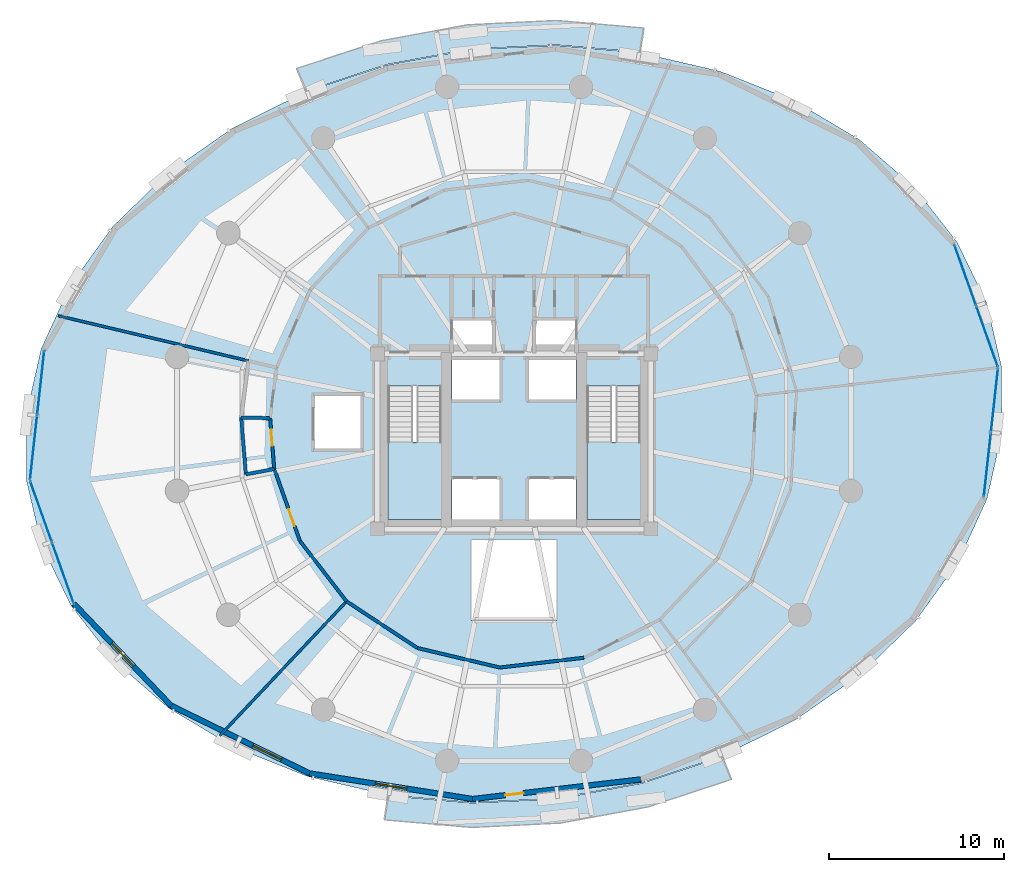
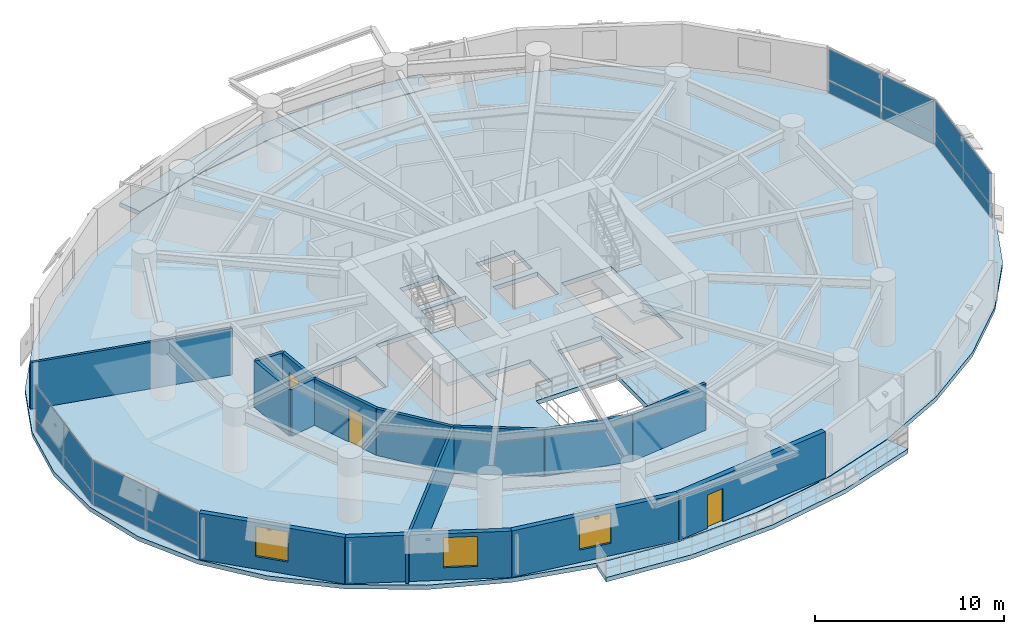
# One storey, part 11 of 17: 16 plates, 15 walls, 5 slabs, 3 doors, 3 windows, 6 openings, 6 elements without a shape of their own.
"""IFC4 building model written with IfcOpenShell, lengths in metres."""

from ifc_helpers import new_model, si_unit, direction, frame, frame_2d, origin, origin_2d, place, context, subcontext, project, spatial, polyline, rectangle, outline, extrude, material, layer, layer_set, type_object, element, fill, aggregate, save


model = new_model("IFC4")

# Units and contexts
model_context = context("Model", 3, precision=1e-05, world=origin(), true_north=direction((0.0, 1.0)))
body_context = subcontext(model_context, "Body", "Model", "MODEL_VIEW")
ifc_project = project(units=[si_unit("LENGTHUNIT", "METRE"), si_unit("AREAUNIT", "SQUARE_METRE"), si_unit("VOLUMEUNIT", "CUBIC_METRE"), si_unit("PLANEANGLEUNIT", "RADIAN"), si_unit("MASSUNIT", "GRAM", prefix="KILO"), si_unit("THERMODYNAMICTEMPERATUREUNIT", "KELVIN"), si_unit("POWERUNIT", "WATT")], contexts=[model_context])

# Site, building, storey
site_placement = place(None, origin())
site = spatial("IfcSite", under=ifc_project, at=site_placement, CompositionType="ELEMENT")
building_placement = place(site_placement, origin())
building = spatial("IfcBuilding", under=site, at=building_placement, Name="Ocrelia Relay Tower", CompositionType="ELEMENT")
storey_placement = place(building_placement, frame((0.0, 0.0, 59.39990234375)))
storey = spatial("IfcBuildingStorey", under=building, at=storey_placement, Name="L13", CompositionType="ELEMENT", Elevation=59.39990234375)

# Curtain wall, plates
ifc_material_1 = material(Name="Aluminium and solar-control low-E glass", Category="aluminium")
ifc_layer_1 = layer(ifc_material_1, 0.179931640625, Name="Aluminium and solar-control low-E glass")
ifc_layer_set_1 = layer_set([ifc_layer_1], Name="Aluminium and solar-control low-E glass")
curtain_wall_type = type_object("IfcCurtainWallType", Name="CW-SYS-Z1-DATA", PredefinedType="NOTDEFINED", material=ifc_layer_set_1)
curtain_wall_1_placement = place(storey_placement, origin())
curtain_wall_1 = element("IfcCurtainWall", 1, at=curtain_wall_1_placement, inside=storey, type_object=curtain_wall_type, Name="L13 Elliptical Tower Curtain Wall Bay 01", PredefinedType="NOTDEFINED")
ifc_material_2 = material(Name="Clear double-glazed low-E glass", Category="glass")
ifc_layer_2 = layer(ifc_material_2, 0.031982421875, Name="Clear double-glazed low-E glass")
ifc_layer_set_2 = layer_set([ifc_layer_2], Name="Clear double-glazed low-E glass")
plate_type = type_object("IfcPlateType", Name="CW-SYS-Z1-DATA-PNL", PredefinedType="CURTAIN_PANEL", material=ifc_layer_set_2)
plate_1_placement = place(storey_placement, frame((60.97998046875, 30.996337890625, 0.06494140625), z_axis=(0.0, 0.0, 1.0), x_axis=(-0.335621072702, 0.941997078317, 0.0)))
plate_1 = element("IfcPlate", 2, at=plate_1_placement, type_object=plate_type, Name="CW-Z1 panel 1.1", PredefinedType="CURTAIN_PANEL", context=body_context, shape_type="SweptSolid", body=[
    extrude(rectangle(XDim=3.6328125, YDim=0.031982421875, at=origin_2d()), origin(), (0.0, 0.0, 1.0), 0.802490234375),
])
plate_2_placement = place(storey_placement, frame((60.97998046875, 30.996337890625, 0.9326171875), z_axis=(0.0, 0.0, 1.0), x_axis=(-0.335621072702, 0.941997078317, 0.0)))
plate_2 = element("IfcPlate", 3, at=plate_2_placement, type_object=plate_type, Name="CW-Z1 panel 1.2", PredefinedType="CURTAIN_PANEL", context=body_context, shape_type="SweptSolid", body=[
    extrude(rectangle(XDim=3.6328125, YDim=0.031982421875, at=origin_2d()), origin(), (0.0, 0.0, 1.0), 2.00244140625),
])
plate_3_placement = place(storey_placement, frame((59.7373046875, 34.484375, 0.06494140625), z_axis=(0.0, 0.0, 1.0), x_axis=(-0.335621072702, 0.941997078317, 0.0)))
plate_3 = element("IfcPlate", 4, at=plate_3_placement, type_object=plate_type, Name="CW-Z1 panel 2.1", PredefinedType="CURTAIN_PANEL", context=body_context, shape_type="SweptSolid", body=[
    extrude(rectangle(XDim=3.6328125, YDim=0.031982421875, at=origin_2d()), origin(), (0.0, 0.0, 1.0), 0.802490234375),
])
plate_4_placement = place(storey_placement, frame((59.7373046875, 34.484375, 0.9326171875), z_axis=(0.0, 0.0, 1.0), x_axis=(-0.335621072702, 0.941997078317, 0.0)))
plate_4 = element("IfcPlate", 5, at=plate_4_placement, type_object=plate_type, Name="CW-Z1 panel 2.2", PredefinedType="CURTAIN_PANEL", context=body_context, shape_type="SweptSolid", body=[
    extrude(rectangle(XDim=3.6328125, YDim=0.031982421875, at=origin_2d()), origin(), (0.0, 0.0, 1.0), 2.00244140625),
])
aggregate(curtain_wall_1, [plate_1, plate_2, plate_3, plate_4])

curtain_wall_2_placement = place(storey_placement, origin())
curtain_wall_2 = element("IfcCurtainWall", 6, at=curtain_wall_2_placement, inside=storey, type_object=curtain_wall_type, Name="L13 Elliptical Tower Curtain Wall Bay 09", PredefinedType="NOTDEFINED")
plate_5_placement = place(storey_placement, frame((7.00146484375, 28.3359375, 0.06494140625), z_axis=(0.0, 0.0, 1.0), x_axis=(-0.109919105663, -0.993940536557, 0.0)))
plate_5 = element("IfcPlate", 7, at=plate_5_placement, type_object=plate_type, Name="CW-Z1 panel 1.1", PredefinedType="CURTAIN_PANEL", context=body_context, shape_type="SweptSolid", body=[
    extrude(rectangle(XDim=3.6328125, YDim=0.031982421875, at=origin_2d()), origin(), (0.0, 0.0, 1.0), 0.802490234375),
])
plate_6_placement = place(storey_placement, frame((7.00146484375, 28.3359375, 0.9326171875), z_axis=(0.0, 0.0, 1.0), x_axis=(-0.109919105663, -0.993940536557, 0.0)))
plate_6 = element("IfcPlate", 8, at=plate_6_placement, type_object=plate_type, Name="CW-Z1 panel 1.2", PredefinedType="CURTAIN_PANEL", context=body_context, shape_type="SweptSolid", body=[
    extrude(rectangle(XDim=3.6328125, YDim=0.031982421875, at=origin_2d()), origin(), (0.0, 0.0, 1.0), 2.00244140625),
])
plate_7_placement = place(storey_placement, frame((6.59423828125, 24.655517578125, 0.06494140625), z_axis=(0.0, 0.0, 1.0), x_axis=(-0.109919105663, -0.993940536557, 0.0)))
plate_7 = element("IfcPlate", 9, at=plate_7_placement, type_object=plate_type, Name="CW-Z1 panel 2.1", PredefinedType="CURTAIN_PANEL", context=body_context, shape_type="SweptSolid", body=[
    extrude(rectangle(XDim=3.6328125, YDim=0.031982421875, at=origin_2d()), origin(), (0.0, 0.0, 1.0), 0.802490234375),
])
plate_8_placement = place(storey_placement, frame((6.59423828125, 24.655517578125, 0.9326171875), z_axis=(0.0, 0.0, 1.0), x_axis=(-0.109919105663, -0.993940536557, 0.0)))
plate_8 = element("IfcPlate", 10, at=plate_8_placement, type_object=plate_type, Name="CW-Z1 panel 2.2", PredefinedType="CURTAIN_PANEL", context=body_context, shape_type="SweptSolid", body=[
    extrude(rectangle(XDim=3.6328125, YDim=0.031982421875, at=origin_2d()), origin(), (0.0, 0.0, 1.0), 2.00244140625),
])
aggregate(curtain_wall_2, [plate_5, plate_6, plate_7, plate_8])

curtain_wall_3_placement = place(storey_placement, origin())
curtain_wall_3 = element("IfcCurtainWall", 11, at=curtain_wall_3_placement, inside=storey, type_object=curtain_wall_type, Name="L13 Elliptical Tower Curtain Wall Bay 10", PredefinedType="NOTDEFINED")
plate_9_placement = place(storey_placement, frame((7.02001953125, 21.003662109375, 0.06494140625), z_axis=(0.0, 0.0, 1.0), x_axis=(0.335621072702, -0.941997078317, 0.0)))
plate_9 = element("IfcPlate", 12, at=plate_9_placement, type_object=plate_type, Name="CW-Z1 panel 1.1", PredefinedType="CURTAIN_PANEL", context=body_context, shape_type="SweptSolid", body=[
    extrude(rectangle(XDim=3.6328125, YDim=0.031982421875, at=origin_2d()), origin(), (0.0, 0.0, 1.0), 0.802490234375),
])
plate_10_placement = place(storey_placement, frame((7.02001953125, 21.003662109375, 0.9326171875), z_axis=(0.0, 0.0, 1.0), x_axis=(0.335621072702, -0.941997078317, 0.0)))
plate_10 = element("IfcPlate", 13, at=plate_10_placement, type_object=plate_type, Name="CW-Z1 panel 1.2", PredefinedType="CURTAIN_PANEL", context=body_context, shape_type="SweptSolid", body=[
    extrude(rectangle(XDim=3.6328125, YDim=0.031982421875, at=origin_2d()), origin(), (0.0, 0.0, 1.0), 2.00244140625),
])
plate_11_placement = place(storey_placement, frame((8.2626953125, 17.515625, 0.06494140625), z_axis=(0.0, 0.0, 1.0), x_axis=(0.335621072702, -0.941997078317, 0.0)))
plate_11 = element("IfcPlate", 14, at=plate_11_placement, type_object=plate_type, Name="CW-Z1 panel 2.1", PredefinedType="CURTAIN_PANEL", context=body_context, shape_type="SweptSolid", body=[
    extrude(rectangle(XDim=3.6328125, YDim=0.031982421875, at=origin_2d()), origin(), (0.0, 0.0, 1.0), 0.802490234375),
])
plate_12_placement = place(storey_placement, frame((8.2626953125, 17.515625, 0.9326171875), z_axis=(0.0, 0.0, 1.0), x_axis=(0.335621072702, -0.941997078317, 0.0)))
plate_12 = element("IfcPlate", 15, at=plate_12_placement, type_object=plate_type, Name="CW-Z1 panel 2.2", PredefinedType="CURTAIN_PANEL", context=body_context, shape_type="SweptSolid", body=[
    extrude(rectangle(XDim=3.6328125, YDim=0.031982421875, at=origin_2d()), origin(), (0.0, 0.0, 1.0), 2.00244140625),
])
aggregate(curtain_wall_3, [plate_9, plate_10, plate_11, plate_12])

curtain_wall_4_placement = place(storey_placement, origin())
curtain_wall_4 = element("IfcCurtainWall", 16, at=curtain_wall_4_placement, inside=storey, type_object=curtain_wall_type, Name="L13 Elliptical Tower Curtain Wall Bay 18", PredefinedType="NOTDEFINED")
plate_13_placement = place(storey_placement, frame((60.99853515625, 23.6640625, 0.06494140625), z_axis=(0.0, 0.0, 1.0), x_axis=(0.109919105663, 0.993940536557, 0.0)))
plate_13 = element("IfcPlate", 17, at=plate_13_placement, type_object=plate_type, Name="CW-Z1 panel 1.1", PredefinedType="CURTAIN_PANEL", context=body_context, shape_type="SweptSolid", body=[
    extrude(rectangle(XDim=3.6328125, YDim=0.031982421875, at=origin_2d()), origin(), (0.0, 0.0, 1.0), 0.802490234375),
])
plate_14_placement = place(storey_placement, frame((60.99853515625, 23.6640625, 0.9326171875), z_axis=(0.0, 0.0, 1.0), x_axis=(0.109919105663, 0.993940536557, 0.0)))
plate_14 = element("IfcPlate", 18, at=plate_14_placement, type_object=plate_type, Name="CW-Z1 panel 1.2", PredefinedType="CURTAIN_PANEL", context=body_context, shape_type="SweptSolid", body=[
    extrude(rectangle(XDim=3.6328125, YDim=0.031982421875, at=origin_2d()), origin(), (0.0, 0.0, 1.0), 2.00244140625),
])
plate_15_placement = place(storey_placement, frame((61.40576171875, 27.344482421875, 0.06494140625), z_axis=(0.0, 0.0, 1.0), x_axis=(0.109919105663, 0.993940536557, 0.0)))
plate_15 = element("IfcPlate", 19, at=plate_15_placement, type_object=plate_type, Name="CW-Z1 panel 2.1", PredefinedType="CURTAIN_PANEL", context=body_context, shape_type="SweptSolid", body=[
    extrude(rectangle(XDim=3.6328125, YDim=0.031982421875, at=origin_2d()), origin(), (0.0, 0.0, 1.0), 0.802490234375),
])
plate_16_placement = place(storey_placement, frame((61.40576171875, 27.344482421875, 0.9326171875), z_axis=(0.0, 0.0, 1.0), x_axis=(0.109919105663, 0.993940536557, 0.0)))
plate_16 = element("IfcPlate", 20, at=plate_16_placement, type_object=plate_type, Name="CW-Z1 panel 2.2", PredefinedType="CURTAIN_PANEL", context=body_context, shape_type="SweptSolid", body=[
    extrude(rectangle(XDim=3.6328125, YDim=0.031982421875, at=origin_2d()), origin(), (0.0, 0.0, 1.0), 2.00244140625),
])
aggregate(curtain_wall_4, [plate_13, plate_14, plate_15, plate_16])

# Slabs
ifc_material_3 = material(Name="Precast concrete C40/50", Category="concrete")
ifc_layer_3 = layer(ifc_material_3, 0.280029296875, Name="Precast concrete C40/50")
ifc_layer_set_3 = layer_set([ifc_layer_3], Name="Precast concrete C40/50")
slab_type_1 = type_object("IfcSlabType", Name="SL-BALC-280", PredefinedType="FLOOR", material=ifc_layer_set_3)
slab_1_placement = place(storey_placement, frame((0.0, 0.0, -0.27978515625)))
element("IfcSlab", 21, at=slab_1_placement, inside=storey, type_object=slab_type_1, Name="L13 Planted Loggia Balcony B1", PredefinedType="FLOOR", context=body_context, shape_type="SweptSolid", body=[
    extrude(outline(polyline([(41.17724609375, 47.206298828125), (38.777587890625, 47.4150390625), (36.378173828125, 47.6240234375), (31.506591796875, 47.38525390625), (26.711181640625, 46.4970703125), (24.423828125, 45.74169921875), (22.13671875, 44.986328125), (21.607666015625, 46.275390625), (23.986328125, 47.06103515625), (26.364990234375, 47.8466796875), (31.345458984375, 48.768798828125), (36.404296875, 49.01708984375), (38.89990234375, 48.7998046875), (41.3955078125, 48.58251953125), (41.17724609375, 47.206298828125)])), origin(), (0.0, 0.0, 1.0), 0.27978515625),
])
slab_2_placement = place(storey_placement, frame((0.0, 0.0, -0.27978515625)))
element("IfcSlab", 22, at=slab_2_placement, inside=storey, type_object=slab_type_1, Name="L13 Planted Loggia Balcony B2", PredefinedType="FLOOR", context=body_context, shape_type="SweptSolid", body=[
    extrude(outline(polyline([(26.82275390625, 4.793701171875), (29.222412109375, 4.584716796875), (31.621826171875, 4.3759765625), (36.493408203125, 4.61474609375), (41.288818359375, 5.5029296875), (43.575927734375, 6.25830078125), (45.86328125, 7.013671875), (46.392333984375, 5.724609375), (44.013671875, 4.93896484375), (41.635009765625, 4.1533203125), (36.654541015625, 3.231201171875), (31.595703125, 2.98291015625), (29.10009765625, 3.2001953125), (26.6044921875, 3.41748046875), (26.82275390625, 4.793701171875)])), origin(), (0.0, 0.0, 1.0), 0.27978515625),
])
ifc_material_4 = material(Name="Concrete C50/60", Category="concrete")
ifc_layer_4 = layer(ifc_material_4, 0.280029296875, Name="Concrete C50/60")
ifc_layer_set_4 = layer_set([ifc_layer_4], Name="Concrete C50/60")
slab_type_2 = type_object("IfcSlabType", Name="SL-FLR-280", PredefinedType="FLOOR", material=ifc_layer_set_4)
slab_3_placement = place(storey_placement, frame((0.0, 0.0, -0.27978515625)))
element("IfcSlab", 23, at=slab_3_placement, inside=storey, type_object=slab_type_2, Name="L13 Elliptical Tower Floor Slab", PredefinedType="FLOOR", context=body_context, shape_type="SweptSolid", body=[
    extrude(outline(polyline([(61.8115234375, 29.242431640625), (60.956787109375, 32.901611328125), (59.28271484375, 36.350830078125), (56.8408203125, 39.48583984375), (53.70458984375, 42.2109375), (49.9697265625, 44.443359375), (45.74951171875, 46.115478515625), (41.172607421875, 47.176513671875), (36.37744140625, 47.593994140625), (31.51025390625, 47.355224609375), (26.718505859375, 46.468017578125), (22.148193359375, 44.95849609375), (17.93798828125, 42.873046875), (14.2158203125, 40.27490234375), (11.0947265625, 37.242919921875), (8.66943359375, 33.86962890625), (7.01416015625, 30.257080078125), (6.1787109375, 26.51513671875), (6.1884765625, 22.757568359375), (7.043212890625, 19.098388671875), (8.71728515625, 15.649169921875), (11.1591796875, 12.51416015625), (14.29541015625, 9.7890625), (18.0302734375, 7.556640625), (22.25048828125, 5.884521484375), (26.827392578125, 4.823486328125), (31.62255859375, 4.406005859375), (36.48974609375, 4.644775390625), (41.281494140625, 5.531982421875), (45.851806640625, 7.04150390625), (50.06201171875, 9.126953125), (53.7841796875, 11.72509765625), (56.9052734375, 14.757080078125), (59.33056640625, 18.13037109375), (60.98583984375, 21.742919921875), (61.8212890625, 25.48486328125), (61.8115234375, 29.242431640625)]), holes=[polyline([(26.81005859375, 28.14990234375), (26.81005859375, 20.550048828125), (29.85009765625, 20.550048828125), (29.85009765625, 28.14990234375), (26.81005859375, 28.14990234375)]), polyline([(38.159912109375, 28.14990234375), (38.159912109375, 20.550048828125), (41.199951171875, 20.550048828125), (41.199951171875, 28.14990234375), (38.159912109375, 28.14990234375)]), polyline([(30.4599609375, 20.550048828125), (33.159912109375, 20.550048828125), (33.159912109375, 22.85009765625), (30.4599609375, 22.85009765625), (30.4599609375, 20.550048828125)]), polyline([(34.840087890625, 20.550048828125), (37.5400390625, 20.550048828125), (37.5400390625, 22.85009765625), (34.840087890625, 22.85009765625), (34.840087890625, 20.550048828125)]), polyline([(30.4599609375, 27.35009765625), (33.159912109375, 27.35009765625), (33.159912109375, 29.64990234375), (30.4599609375, 29.64990234375), (30.4599609375, 27.35009765625)]), polyline([(34.840087890625, 27.35009765625), (37.5400390625, 27.35009765625), (37.5400390625, 29.64990234375), (34.840087890625, 29.64990234375), (34.840087890625, 27.35009765625)]), polyline([(30.5, 30.10009765625), (32.85009765625, 30.10009765625), (32.85009765625, 32.0), (30.5, 32.0), (30.5, 30.10009765625)]), polyline([(35.14990234375, 30.10009765625), (37.5, 30.10009765625), (37.5, 32.0), (35.14990234375, 32.0), (35.14990234375, 30.10009765625)]), polyline([(22.550048828125, 24.5), (25.35009765625, 24.5), (25.35009765625, 27.699951171875), (22.550048828125, 27.699951171875), (22.550048828125, 24.5)]), polyline([(31.550048828125, 14.800048828125), (36.449951171875, 14.800048828125), (36.449951171875, 19.39990234375), (31.550048828125, 19.39990234375), (31.550048828125, 14.800048828125)])]), origin(), (0.0, 0.0, 1.0), 0.27978515625),
])

# Stair, slab
stair_type = type_object("IfcStairType", Name="ST-DL-1420-R175", PredefinedType="HALF_TURN_STAIR", material=ifc_material_4)
stair_1_placement = place(storey_placement, origin())
stair_1 = element("IfcStair", 24, at=stair_1_placement, inside=storey, type_object=stair_type, Name="L13 West Core Exit Stair ST1", PredefinedType="HALF_TURN_STAIR")
ifc_layer_5 = layer(ifc_material_4, 0.199951171875, Name="Concrete C50/60")
ifc_layer_set_5 = layer_set([ifc_layer_5], Name="Concrete C50/60")
slab_type_3 = type_object("IfcSlabType", Name="SL-LANDING-200", PredefinedType="LANDING", material=ifc_layer_set_5)
slab_4_placement = place(storey_placement, frame((0.0, 0.0, 1.900146484375)))
slab_4 = element("IfcSlab", 25, at=slab_4_placement, type_object=slab_type_3, Name="ST1 landing 1", PredefinedType="LANDING", context=body_context, shape_type="SweptSolid", body=[
    extrude(outline(polyline([(26.81005859375, 24.9599609375), (26.81005859375, 20.550048828125), (29.85009765625, 20.550048828125), (29.85009765625, 24.9599609375), (26.81005859375, 24.9599609375)])), origin(), (0.0, 0.0, 1.0), 0.199951171875),
])
aggregate(stair_1, [slab_4])

stair_2_placement = place(storey_placement, origin())
stair_2 = element("IfcStair", 26, at=stair_2_placement, inside=storey, type_object=stair_type, Name="L13 East Core Exit Stair ST2", PredefinedType="HALF_TURN_STAIR")
slab_5_placement = place(storey_placement, frame((0.0, 0.0, 1.900146484375)))
slab_5 = element("IfcSlab", 27, at=slab_5_placement, type_object=slab_type_3, Name="ST2 landing 1", PredefinedType="LANDING", context=body_context, shape_type="SweptSolid", body=[
    extrude(outline(polyline([(38.159912109375, 24.9599609375), (38.159912109375, 20.550048828125), (41.199951171875, 20.550048828125), (41.199951171875, 24.9599609375), (38.159912109375, 24.9599609375)])), origin(), (0.0, 0.0, 1.0), 0.199951171875),
])
aggregate(stair_2, [slab_5])

# Wall, opening, door
ifc_material_5 = material(Name="Gypsum Fireboard Partition EI60", Category="gypsum")
ifc_layer_6 = layer(ifc_material_5, 0.179931640625, Name="Gypsum Fireboard Partition EI60")
ifc_layer_set_6 = layer_set([ifc_layer_6], Name="Gypsum Fireboard Partition EI60")
wall_type_1 = type_object("IfcWallType", Name="W-CORR-EI60-180", PredefinedType="PARTITIONING", material=ifc_layer_set_6)
wall_1_placement = place(storey_placement, frame((20.083984375, 26.327880859375, 0.0), z_axis=(0.0, 0.0, 1.0), x_axis=(0.081045642914, -0.996710391119, 0.0)))
wall_1 = element("IfcWall", 28, at=wall_1_placement, inside=storey, type_object=wall_type_1, Name="L13 Accessible Toilet Corridor Wall", PredefinedType="PARTITIONING", context=body_context, shape_type="SweptSolid", body=[
    extrude(rectangle(XDim=2.909912109375, YDim=0.179931640625, at=frame_2d((1.455078125, 0.0))), origin(), (0.0, 0.0, 1.0), 3.0),
])
opening_1_placement = place(wall_1_placement, frame((0.6689453125, 0.0, 0.0)))
opening_1 = element("IfcOpeningElement", 29, at=opening_1_placement, cuts=wall_1, Name="Opening D-WC92", PredefinedType="OPENING", context=body_context, shape_type="SweptSolid", body=[
    extrude(rectangle(XDim=0.919921875, YDim=2.10009765625, at=frame_2d((0.4599609375, 1.050048828125))), frame((0.0, 0.10009765625, 0.0), z_axis=(0.0, -1.0, 0.0), x_axis=(1.0, 0.0, 0.0)), (0.0, 0.0, 1.0), 0.199951171875),
])
ifc_material_6 = material(Name="Laminate washroom door", Category="wood")
door_type_1 = type_object("IfcDoorType", Name="DR-WC-920", OperationType="NOTDEFINED", PredefinedType="DOOR", material=ifc_material_6)
door_1_placement = place(opening_1_placement, origin())
door_1 = element("IfcDoor", 30, at=door_1_placement, inside=storey, type_object=door_type_1, Name="L13 Accessible Toilet Door", OperationType="SINGLE_SWING_LEFT", OverallHeight=2.10009765625, OverallWidth=0.919921875, PredefinedType="DOOR", context=body_context, shape_type="SweptSolid", body=[
    extrude(rectangle(XDim=0.919921875, YDim=2.10009765625, at=frame_2d((0.4599609375, 1.050048828125))), frame((0.0, 0.02490234375, 0.0), z_axis=(0.0, -1.0, 0.0), x_axis=(1.0, 0.0, 0.0)), (0.0, 0.0, 1.0), 0.050048828125),
])
fill(opening_1, door_1)

wall_2_placement = place(storey_placement, frame((20.31982421875, 23.427490234375, 0.0), z_axis=(0.0, 0.0, 1.0), x_axis=(0.33623696161, -0.941777418315, 0.0)))
wall_2 = element("IfcWall", 31, at=wall_2_placement, inside=storey, type_object=wall_type_1, Name="L13 Technical Reference Library Corridor Partition 1", PredefinedType="PARTITIONING", context=body_context, shape_type="SweptSolid", body=[
    extrude(rectangle(XDim=4.355224609375, YDim=0.179931640625, at=frame_2d((2.177734375, 0.0))), origin(), (0.0, 0.0, 1.0), 3.0),
])
opening_2_placement = place(wall_2_placement, frame((2.44140625, 0.0, 0.0)))
opening_2 = element("IfcOpeningElement", 32, at=opening_2_placement, cuts=wall_2, Name="Opening D-RM100", PredefinedType="OPENING", context=body_context, shape_type="SweptSolid", body=[
    extrude(rectangle(XDim=1.0, YDim=2.14990234375, at=frame_2d((0.5, 1.074951171875))), frame((0.0, 0.10009765625, 0.0), z_axis=(0.0, -1.0, 0.0), x_axis=(1.0, 0.0, 0.0)), (0.0, 0.0, 1.0), 0.199951171875),
])
ifc_material_7 = material(Name="Acoustic oak veneer fire door", Category="wood")
door_type_2 = type_object("IfcDoorType", Name="DR-ROOM-FD60-1000", OperationType="NOTDEFINED", PredefinedType="DOOR", material=ifc_material_7)
door_2_placement = place(opening_2_placement, origin())
door_2 = element("IfcDoor", 33, at=door_2_placement, inside=storey, type_object=door_type_2, Name="L13 Technical Reference Library Entrance Door", OperationType="SINGLE_SWING_RIGHT", OverallHeight=2.14990234375, OverallWidth=1.0, PredefinedType="DOOR", context=body_context, shape_type="SweptSolid", body=[
    extrude(rectangle(XDim=1.0, YDim=2.14990234375, at=frame_2d((0.5, 1.074951171875))), frame((0.0, 0.02490234375, 0.0), z_axis=(0.0, -1.0, 0.0), x_axis=(1.0, 0.0, 0.0)), (0.0, 0.0, 1.0), 0.050048828125),
])
fill(opening_2, door_2)

# Walls
wall_3_placement = place(storey_placement, frame((21.7841796875, 19.325927734375, 0.0), z_axis=(0.0, 0.0, 1.0), x_axis=(0.610850645321, -0.791745848812, 0.0)))
element("IfcWall", 34, at=wall_3_placement, inside=storey, type_object=wall_type_1, Name="L13 Technical Reference Library Corridor Partition 2", PredefinedType="PARTITIONING", context=body_context, shape_type="SweptSolid", body=[
    extrude(rectangle(XDim=4.355224609375, YDim=0.179931640625, at=frame_2d((2.177734375, 0.0))), origin(), (0.0, 0.0, 1.0), 3.0),
])
wall_4_placement = place(storey_placement, frame((24.444580078125, 15.877685546875, 0.0), z_axis=(0.0, 0.0, 1.0), x_axis=(0.835329812405, -0.549749128701, 0.0)))
element("IfcWall", 35, at=wall_4_placement, inside=storey, type_object=wall_type_1, Name="L13 Colocation Data Hall A Corridor Partition 1", PredefinedType="PARTITIONING", context=body_context, shape_type="SweptSolid", body=[
    extrude(rectangle(XDim=4.83447265625, YDim=0.179931640625, at=frame_2d((2.417236328125, 0.0))), origin(), (0.0, 0.0, 1.0), 3.0),
])
for number, where, z_axis, x_axis, name in (
    (36, (28.48291015625, 13.219970703125, 0.0), (0.0, 0.0, 1.0), (0.97297826036, -0.230896740702, 0.0), "L13 Colocation Data Hall A Corridor Partition 2"),
    (37, (33.1865234375, 12.103759765625, 0.0), (0.0, 0.0, 1.0), (0.99327243633, 0.115800981112, 0.0), "L13 Colocation Data Hall A Corridor Partition 3"),
):
    element("IfcWall", number, at=place(storey_placement, frame(where, z_axis=z_axis, x_axis=x_axis)), inside=storey, type_object=wall_type_1, Name=name, PredefinedType="PARTITIONING", context=body_context, shape_type="SweptSolid", body=[
        extrude(rectangle(XDim=4.834228515625, YDim=0.179931640625, at=frame_2d((2.4169921875, 0.0))), origin(), (0.0, 0.0, 1.0), 3.0),
    ])

# Wall, opening, window
ifc_material_8 = material(Name="Precast concrete C40/50 with oxide terracotta", Category="masonry")
ifc_layer_7 = layer(ifc_material_8, 0.300048828125, Name="Precast concrete C40/50 with oxide terracotta")
ifc_layer_set_7 = layer_set([ifc_layer_7], Name="Precast concrete C40/50 with oxide terracotta")
wall_type_2 = type_object("IfcWallType", Name="W-EXT-TERR-300", PredefinedType="SOLIDWALL", material=ifc_layer_set_7)
wall_5_placement = place(storey_placement, frame((8.89599609375, 15.73876953125, 0.0), z_axis=(0.0, 0.0, 1.0), x_axis=(0.690246968725, -0.723573853982, 0.0)))
wall_5 = element("IfcWall", 38, at=wall_5_placement, inside=storey, type_object=wall_type_2, Name="L13 Oxide Terracotta Facade Wall 11", PredefinedType="SOLIDWALL", context=body_context, shape_type="SweptSolid", body=[
    extrude(rectangle(XDim=8.021484375, YDim=0.300048828125, at=frame_2d((4.0107421875, 0.0))), origin(), (0.0, 0.0, 1.0), 3.0),
])
opening_3_placement = place(wall_5_placement, frame((3.111083984375, 0.0, 0.800048828125)))
opening_3 = element("IfcOpeningElement", 39, at=opening_3_placement, cuts=wall_5, Name="Opening W-02", PredefinedType="OPENING", context=body_context, shape_type="SweptSolid", body=[
    extrude(rectangle(XDim=1.800048828125, YDim=1.949951171875, at=frame_2d((0.89990234375, 0.97509765625))), frame((0.0, 0.16015625, 0.0), z_axis=(0.0, -1.0, 0.0), x_axis=(1.0, 0.0, 0.0)), (0.0, 0.0, 1.0), 0.320068359375),
])
window_type = type_object("IfcWindowType", Name="WIN-Z1-1800x2100", PartitioningType="DOUBLE_PANEL_VERTICAL", PredefinedType="WINDOW", material=ifc_material_2)
window_1_placement = place(opening_3_placement, origin())
window_1 = element("IfcWindow", 40, at=window_1_placement, inside=storey, type_object=window_type, Name="L13 Facade Module Window 11", OverallHeight=1.949951171875, OverallWidth=1.800048828125, PartitioningType="SINGLE_PANEL", PredefinedType="WINDOW", context=body_context, shape_type="SweptSolid", body=[
    extrude(rectangle(XDim=1.800048828125, YDim=1.949951171875, at=frame_2d((0.89990234375, 0.97509765625))), frame((0.0, 0.030029296875, 0.0), z_axis=(0.0, -1.0, 0.0), x_axis=(1.0, 0.0, 0.0)), (0.0, 0.0, 1.0), 0.06005859375),
])
fill(opening_3, window_1)

wall_6_placement = place(storey_placement, frame((14.432861328125, 9.9345703125, 0.0), z_axis=(0.0, 0.0, 1.0), x_axis=(0.898122468158, -0.439745417475, 0.0)))
wall_6 = element("IfcWall", 41, at=wall_6_placement, inside=storey, type_object=wall_type_2, Name="L13 Oxide Terracotta Facade Wall 12", PredefinedType="SOLIDWALL", context=body_context, shape_type="SweptSolid", body=[
    extrude(rectangle(XDim=8.79248046875, YDim=0.300048828125, at=frame_2d((4.396240234375, 0.0))), origin(), (0.0, 0.0, 1.0), 3.0),
])
opening_4_placement = place(wall_6_placement, frame((5.201904296875, 0.0, 0.800048828125)))
opening_4 = element("IfcOpeningElement", 42, at=opening_4_placement, cuts=wall_6, Name="Opening W-02", PredefinedType="OPENING", context=body_context, shape_type="SweptSolid", body=[
    extrude(rectangle(XDim=1.800048828125, YDim=1.949951171875, at=frame_2d((0.89990234375, 0.97509765625))), frame((0.0, 0.16015625, 0.0), z_axis=(0.0, -1.0, 0.0), x_axis=(1.0, 0.0, 0.0)), (0.0, 0.0, 1.0), 0.320068359375),
])
window_2_placement = place(opening_4_placement, origin())
window_2 = element("IfcWindow", 43, at=window_2_placement, inside=storey, type_object=window_type, Name="L13 Facade Module Window 12", OverallHeight=1.949951171875, OverallWidth=1.800048828125, PartitioningType="SINGLE_PANEL", PredefinedType="WINDOW", context=body_context, shape_type="SweptSolid", body=[
    extrude(rectangle(XDim=1.800048828125, YDim=1.949951171875, at=frame_2d((0.89990234375, 0.97509765625))), frame((0.0, 0.030029296875, 0.0), z_axis=(0.0, -1.0, 0.0), x_axis=(1.0, 0.0, 0.0)), (0.0, 0.0, 1.0), 0.06005859375),
])
fill(opening_4, window_2)

wall_7_placement = place(storey_placement, frame((22.32958984375, 6.068115234375, 0.0), z_axis=(0.0, 0.0, 1.0), x_axis=(0.987873263645, -0.155262406833, 0.0)))
wall_7 = element("IfcWall", 44, at=wall_7_placement, inside=storey, type_object=wall_type_2, Name="L13 Oxide Terracotta Facade Wall 13", PredefinedType="SOLIDWALL", context=body_context, shape_type="SweptSolid", body=[
    extrude(rectangle(XDim=9.4189453125, YDim=0.300048828125, at=frame_2d((4.70947265625, 0.0))), origin(), (0.0, 0.0, 1.0), 3.0),
])
opening_5_placement = place(wall_7_placement, frame((3.80908203125, 0.0, 0.800048828125)))
opening_5 = element("IfcOpeningElement", 45, at=opening_5_placement, cuts=wall_7, Name="Opening W-02", PredefinedType="OPENING", context=body_context, shape_type="SweptSolid", body=[
    extrude(rectangle(XDim=1.800048828125, YDim=1.949951171875, at=frame_2d((0.89990234375, 0.97509765625))), frame((0.0, 0.16015625, 0.0), z_axis=(0.0, -1.0, 0.0), x_axis=(1.0, 0.0, 0.0)), (0.0, 0.0, 1.0), 0.320068359375),
])
window_3_placement = place(opening_5_placement, origin())
window_3 = element("IfcWindow", 46, at=window_3_placement, inside=storey, type_object=window_type, Name="L13 Facade Module Window 13", OverallHeight=1.949951171875, OverallWidth=1.800048828125, PartitioningType="SINGLE_PANEL", PredefinedType="WINDOW", context=body_context, shape_type="SweptSolid", body=[
    extrude(rectangle(XDim=1.800048828125, YDim=1.949951171875, at=frame_2d((0.89990234375, 0.97509765625))), frame((0.0, 0.030029296875, 0.0), z_axis=(0.0, -1.0, 0.0), x_axis=(1.0, 0.0, 0.0)), (0.0, 0.0, 1.0), 0.06005859375),
])
fill(opening_5, window_3)

# Wall, opening, door
wall_8_placement = place(storey_placement, frame((31.63427734375, 4.605712890625, 0.0), z_axis=(0.0, 0.0, 1.0), x_axis=(0.993270898265, 0.115814172965, 0.0)))
wall_8 = element("IfcWall", 47, at=wall_8_placement, inside=storey, type_object=wall_type_2, Name="L13 Oxide Terracotta Facade Wall 14", PredefinedType="SOLIDWALL", context=body_context, shape_type="SweptSolid", body=[
    extrude(rectangle(XDim=9.65478515625, YDim=0.300048828125, at=frame_2d((4.827392578125, 0.0))), origin(), (0.0, 0.0, 1.0), 3.0),
])
opening_6_placement = place(wall_8_placement, frame((1.8701171875, 0.0, 0.0)))
opening_6 = element("IfcOpeningElement", 48, at=opening_6_placement, cuts=wall_8, Name="Opening DB-105", PredefinedType="OPENING", context=body_context, shape_type="SweptSolid", body=[
    extrude(rectangle(XDim=1.050048828125, YDim=2.14990234375, at=frame_2d((0.52490234375, 1.074951171875))), frame((0.0, 0.16015625, 0.0), z_axis=(0.0, -1.0, 0.0), x_axis=(1.0, 0.0, 0.0)), (0.0, 0.0, 1.0), 0.320068359375),
])
ifc_material_9 = material(Name="Thermally broken aluminium and clear glass", Category="aluminium")
door_type_3 = type_object("IfcDoorType", Name="DR-BALC-1050", OperationType="NOTDEFINED", PredefinedType="DOOR", material=ifc_material_9)
door_3_placement = place(opening_6_placement, origin())
door_3 = element("IfcDoor", 49, at=door_3_placement, inside=storey, type_object=door_type_3, Name="L13 Planted Loggia Balcony Door B2", OperationType="SINGLE_SWING_LEFT", OverallHeight=2.14990234375, OverallWidth=1.050048828125, PredefinedType="DOOR", context=body_context, shape_type="SweptSolid", body=[
    extrude(rectangle(XDim=1.050048828125, YDim=2.14990234375, at=frame_2d((0.52490234375, 1.074951171875))), frame((0.0, 0.02490234375, 0.0), z_axis=(0.0, -1.0, 0.0), x_axis=(1.0, 0.0, 0.0)), (0.0, 0.0, 1.0), 0.050048828125),
])
fill(opening_6, door_3)

# Walls
ifc_material_10 = material(Name="Acoustic Fireboard Partition EI60", Category="gypsum")
ifc_layer_8 = layer(ifc_material_10, 0.14990234375, Name="Acoustic Fireboard Partition EI60")
ifc_layer_set_8 = layer_set([ifc_layer_8], Name="Acoustic Fireboard Partition EI60")
wall_type_3 = type_object("IfcWallType", Name="W-PART-150", PredefinedType="PARTITIONING", material=ifc_layer_set_8)
wall_9_placement = place(storey_placement, frame((18.8505859375, 29.59521484375, 0.0), z_axis=(0.0, 0.0, 1.0), x_axis=(-0.972979291155, 0.230892396981, 0.0)))
element("IfcWall", 50, at=wall_9_placement, inside=storey, type_object=wall_type_3, Name="L13 Technical Reference Library Radial Partition", PredefinedType="PARTITIONING", context=body_context, shape_type="SweptSolid", body=[
    extrude(rectangle(XDim=11.152099609375, YDim=0.14990234375, at=frame_2d((5.576171875, 0.0))), origin(), (0.0, 0.0, 1.0), 3.0),
])
wall_10_placement = place(storey_placement, frame((24.444580078125, 15.877685546875, 0.0), z_axis=(0.0, 0.0, 1.0), x_axis=(-0.686461796991, -0.72716586916, 0.0)))
element("IfcWall", 51, at=wall_10_placement, inside=storey, type_object=wall_type_3, Name="L13 Technical Reference Library Radial Partition", PredefinedType="PARTITIONING", context=body_context, shape_type="SweptSolid", body=[
    extrude(rectangle(XDim=10.55029296875, YDim=0.14990234375, at=frame_2d((5.275146484375, 0.0))), origin(), (0.0, 0.0, 1.0), 3.0),
])
ifc_material_11 = material(Name="Moisture-Resistant Fireboard Chase Wall EI60", Category="gypsum")
ifc_layer_9 = layer(ifc_material_11, 0.199951171875, Name="Moisture-Resistant Fireboard Chase Wall EI60")
ifc_layer_set_9 = layer_set([ifc_layer_9], Name="Moisture-Resistant Fireboard Chase Wall EI60")
wall_type_4 = type_object("IfcWallType", Name="W-PLUMB-200", PredefinedType="PLUMBINGWALL", material=ifc_layer_set_9)
wall_11_placement = place(storey_placement, frame((20.083984375, 26.327880859375, 0.0), z_axis=(0.0, 0.0, 1.0), x_axis=(-0.999723257344, 0.023524640805, 0.0)))
element("IfcWall", 52, at=wall_11_placement, inside=storey, type_object=wall_type_4, Name="L13 Staff Toilet Plumbing Radial Wall", PredefinedType="PLUMBINGWALL", context=body_context, shape_type="SweptSolid", body=[
    extrude(rectangle(XDim=1.650146484375, YDim=0.199951171875, at=frame_2d((0.8251953125, 0.0))), origin(), (0.0, 0.0, 1.0), 3.0),
])
wall_12_placement = place(storey_placement, frame((20.31982421875, 23.427490234375, 0.0), z_axis=(0.0, 0.0, 1.0), x_axis=(-0.98277489683, -0.184806661569, 0.0)))
element("IfcWall", 53, at=wall_12_placement, inside=storey, type_object=wall_type_4, Name="L13 Accessible Toilet Plumbing Radial Wall", PredefinedType="PLUMBINGWALL", context=body_context, shape_type="SweptSolid", body=[
    extrude(rectangle(XDim=1.64990234375, YDim=0.199951171875, at=frame_2d((0.824951171875, 0.0))), origin(), (0.0, 0.0, 1.0), 3.0),
])
wall_13_placement = place(storey_placement, frame((18.434326171875, 26.36669921875, 0.0), z_axis=(0.0, 0.0, 1.0), x_axis=(0.0810837285, -0.996707293528, 0.0)))
element("IfcWall", 54, at=wall_13_placement, inside=storey, type_object=wall_type_4, Name="L13 Accessible Toilet Back Plumbing Wall", PredefinedType="PLUMBINGWALL", context=body_context, shape_type="SweptSolid", body=[
    extrude(rectangle(XDim=3.2548828125, YDim=0.199951171875, at=frame_2d((1.62744140625, 0.0))), origin(), (0.0, 0.0, 1.0), 3.0),
])

save(model, "model.ifc")
